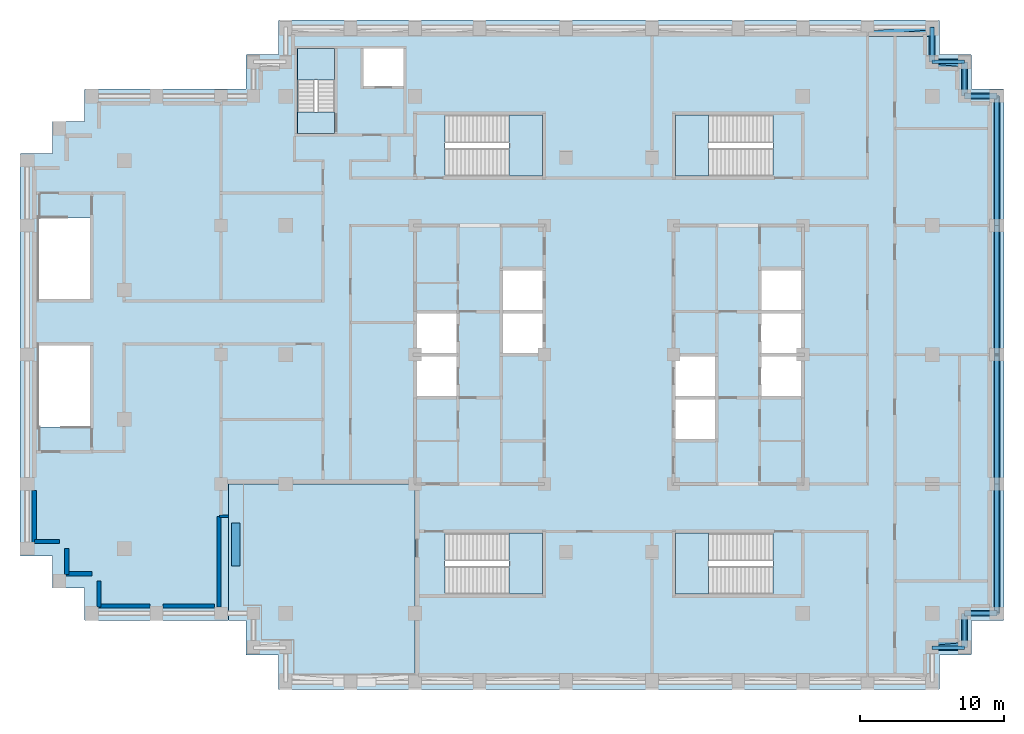
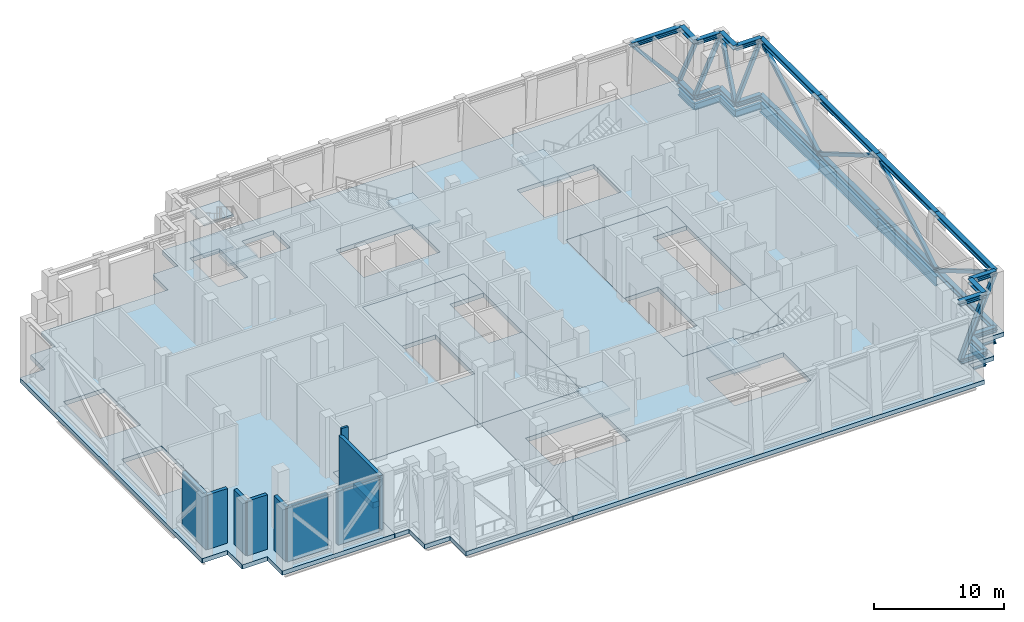
# One storey, part 3 of 10: 35 members, 11 beams, 11 slabs, 10 walls, 5 elements without a shape of their own.
"""IFC4 building model written with IfcOpenShell, lengths in metres."""

from ifc_helpers import new_model, si_unit, direction, frame, frame_2d, origin, origin_2d, place, context, subcontext, project, spatial, polyline, rectangle, hollow_rectangle, i_section, outline, extrude, material, layer, layer_set, material_profile, profile_set, type_object, element, aggregate, save


model = new_model("IFC4")

# Units and contexts
model_context = context("Model", 3, precision=1e-05, world=origin(), true_north=direction((0.0, 1.0)))
body_context = subcontext(model_context, "Body", "Model", "MODEL_VIEW")
ifc_project = project(units=[si_unit("LENGTHUNIT", "METRE"), si_unit("AREAUNIT", "SQUARE_METRE"), si_unit("VOLUMEUNIT", "CUBIC_METRE"), si_unit("PLANEANGLEUNIT", "RADIAN"), si_unit("MASSUNIT", "GRAM", prefix="KILO")], contexts=[model_context])

# Site, building, storey
site_placement = place(None, origin())
site = spatial("IfcSite", under=ifc_project, at=site_placement, CompositionType="ELEMENT")
building_placement = place(site_placement, origin())
building = spatial("IfcBuilding", under=site, at=building_placement, Name="Corbelhall Arena Tower", CompositionType="ELEMENT")
storey_placement = place(building_placement, frame((0.0, 0.0, 236.0)))
storey = spatial("IfcBuildingStorey", under=building, at=storey_placement, Name="L50", CompositionType="ELEMENT", Elevation=236.0)

# Members
ifc_material_1 = material(Name="Steel ASTM A913 Gr65", Category="steel")
ifc_material_profile_1 = material_profile(ifc_material_1, i_section(OverallWidth=0.411376953125, OverallDepth=0.434326171875, WebThickness=0.035888671875, FlangeThickness=0.057373046875, at=origin_2d()))
ifc_profile_set_1 = profile_set([ifc_material_profile_1], Name="Steel ASTM A913 Gr65")
member_type_1 = type_object("IfcMemberType", Name="ST-CHORD-W14x311", PredefinedType="CHORD", material=ifc_profile_set_1)
for number, where, z_axis, x_axis, name in (
    (1, (27.0, 0.0, 0.21728515625), (0.0, -1.0, 0.0), (1.0, 0.0, 0.0), "Truss chord BC 8"),
    (2, (27.0, 0.0, 5.5029296875), (0.0, -1.0, 0.0), (1.0, 0.0, 0.0), "Truss chord TC 8"),
    (3, (27.0, 9.0, 0.21728515625), (0.0, -1.0, 0.0), (1.0, 0.0, 0.0), "Truss chord BC 9"),
    (4, (27.0, 9.0, 5.5029296875), (0.0, -1.0, 0.0), (1.0, 0.0, 0.0), "Truss chord TC 9"),
    (5, (27.0, 18.0, 0.21728515625), (0.0, -1.0, 0.0), (1.0, 0.0, 0.0), "Truss chord BC 10"),
    (6, (27.0, 18.0, 5.5029296875), (0.0, -1.0, 0.0), (1.0, 0.0, 0.0), "Truss chord TC 10"),
    (7, (27.0, -9.0, 0.21728515625), (0.0, -1.0, 0.0), (1.0, 0.0, 0.0), "Truss chord BC 11"),
    (8, (27.0, -9.0, 5.5029296875), (0.0, -1.0, 0.0), (1.0, 0.0, 0.0), "Truss chord TC 11"),
):
    element("IfcMember", number, at=place(storey_placement, frame(where, z_axis=z_axis, x_axis=x_axis)), inside=storey, type_object=member_type_1, Name=name, PredefinedType="CHORD", context=body_context, shape_type="SweptSolid", body=[
        extrude(i_section(OverallWidth=0.411376953125, OverallDepth=0.434326171875, WebThickness=0.035888671875, FlangeThickness=0.057373046875, at=origin_2d()), origin(), (0.0, 0.0, 1.0), 9.0),
    ])
for number, where, z_axis, x_axis, name in (
    (9, (27.0, -18.0, 0.21728515625), (-1.0, 0.0, 0.0), (0.0, -1.0, 0.0), "Truss chord BC 12"),
    (10, (27.0, -18.0, 5.5029296875), (-1.0, 0.0, 0.0), (0.0, -1.0, 0.0), "Truss chord TC 12"),
):
    element("IfcMember", number, at=place(storey_placement, frame(where, z_axis=z_axis, x_axis=x_axis)), inside=storey, type_object=member_type_1, Name=name, PredefinedType="CHORD", context=body_context, shape_type="SweptSolid", body=[
        extrude(i_section(OverallWidth=0.411376953125, OverallDepth=0.434326171875, WebThickness=0.035888671875, FlangeThickness=0.057373046875, at=origin_2d()), origin(), (0.0, 0.0, 1.0), 2.25),
    ])
member_1_placement = place(storey_placement, frame((18.0, 22.3671875, 5.5029296875), z_axis=(1.0, 0.0, 0.0), x_axis=(0.0, 1.0, 0.0)))
element("IfcMember", 11, at=member_1_placement, inside=storey, type_object=member_type_1, Name="Truss chord TC 16", PredefinedType="CHORD", context=body_context, shape_type="SweptSolid", body=[
    extrude(i_section(OverallWidth=0.411376953125, OverallDepth=0.434326171875, WebThickness=0.035888671875, FlangeThickness=0.057373046875, at=origin_2d()), origin(), (0.0, 0.0, 1.0), 4.5),
])
member_2_placement = place(storey_placement, frame((22.5, 22.782958984375, 0.21728515625), z_axis=(0.0, -1.0, 0.0), x_axis=(1.0, 0.0, 0.0)))
element("IfcMember", 12, at=member_2_placement, inside=storey, type_object=member_type_1, Name="Truss chord BC 17", PredefinedType="CHORD", context=body_context, shape_type="SweptSolid", body=[
    extrude(i_section(OverallWidth=0.411376953125, OverallDepth=0.434326171875, WebThickness=0.035888671875, FlangeThickness=0.057373046875, at=origin_2d()), origin(), (0.0, 0.0, 1.0), 2.3916015625),
])
member_3_placement = place(storey_placement, frame((22.5, 22.3671875, 5.5029296875), z_axis=(0.0, -1.0, 0.0), x_axis=(1.0, 0.0, 0.0)))
element("IfcMember", 13, at=member_3_placement, inside=storey, type_object=member_type_1, Name="Truss chord TC 17", PredefinedType="CHORD", context=body_context, shape_type="SweptSolid", body=[
    extrude(i_section(OverallWidth=0.411376953125, OverallDepth=0.434326171875, WebThickness=0.035888671875, FlangeThickness=0.057373046875, at=origin_2d()), origin(), (0.0, 0.0, 1.0), 2.18359375),
])
for number, where, z_axis, x_axis, name in (
    (14, (22.5, 20.391357421875, 0.21728515625), (1.0, 0.0, 0.0), (0.0, 1.0, 0.0), "Truss chord BC 35"),
    (15, (22.5, 20.18359375, 5.5029296875), (1.0, 0.0, 0.0), (0.0, 1.0, 0.0), "Truss chord TC 35"),
):
    element("IfcMember", number, at=place(storey_placement, frame(where, z_axis=z_axis, x_axis=x_axis)), inside=storey, type_object=member_type_1, Name=name, PredefinedType="CHORD", context=body_context, shape_type="SweptSolid", body=[
        extrude(i_section(OverallWidth=0.411376953125, OverallDepth=0.434326171875, WebThickness=0.035888671875, FlangeThickness=0.057373046875, at=origin_2d()), origin(), (0.0, 0.0, 1.0), 2.25),
    ])
member_4_placement = place(storey_placement, frame((24.75, 20.391357421875, 0.21728515625), z_axis=(0.0, -1.0, 0.0), x_axis=(1.0, 0.0, 0.0)))
element("IfcMember", 16, at=member_4_placement, inside=storey, type_object=member_type_1, Name="Truss chord BC 36", PredefinedType="CHORD", context=body_context, shape_type="SweptSolid", body=[
    extrude(i_section(OverallWidth=0.411376953125, OverallDepth=0.434326171875, WebThickness=0.035888671875, FlangeThickness=0.057373046875, at=origin_2d()), origin(), (0.0, 0.0, 1.0), 2.391357421875),
])
member_5_placement = place(storey_placement, frame((24.75, 20.18359375, 5.5029296875), z_axis=(0.0, -1.0, 0.0), x_axis=(1.0, 0.0, 0.0)))
element("IfcMember", 17, at=member_5_placement, inside=storey, type_object=member_type_1, Name="Truss chord TC 36", PredefinedType="CHORD", context=body_context, shape_type="SweptSolid", body=[
    extrude(i_section(OverallWidth=0.411376953125, OverallDepth=0.434326171875, WebThickness=0.035888671875, FlangeThickness=0.057373046875, at=origin_2d()), origin(), (0.0, 0.0, 1.0), 2.18359375),
])
for number, where, z_axis, x_axis, name in (
    (18, (24.75, 18.0, 0.21728515625), (1.0, 0.0, 0.0), (0.0, 1.0, 0.0), "Truss chord BC 37"),
    (19, (24.75, 18.0, 5.5029296875), (1.0, 0.0, 0.0), (0.0, 1.0, 0.0), "Truss chord TC 37"),
    (20, (24.75, -20.391357421875, 0.21728515625), (-1.0, 0.0, 0.0), (0.0, -1.0, 0.0), "Truss chord BC 42"),
    (21, (24.75, -20.18359375, 5.5029296875), (-1.0, 0.0, 0.0), (0.0, -1.0, 0.0), "Truss chord TC 42"),
):
    element("IfcMember", number, at=place(storey_placement, frame(where, z_axis=z_axis, x_axis=x_axis)), inside=storey, type_object=member_type_1, Name=name, PredefinedType="CHORD", context=body_context, shape_type="SweptSolid", body=[
        extrude(i_section(OverallWidth=0.411376953125, OverallDepth=0.434326171875, WebThickness=0.035888671875, FlangeThickness=0.057373046875, at=origin_2d()), origin(), (0.0, 0.0, 1.0), 2.25),
    ])
member_6_placement = place(storey_placement, frame((24.75, -18.0, 0.21728515625), z_axis=(0.0, -1.0, 0.0), x_axis=(1.0, 0.0, 0.0)))
element("IfcMember", 22, at=member_6_placement, inside=storey, type_object=member_type_1, Name="Truss chord BC 43", PredefinedType="CHORD", context=body_context, shape_type="SweptSolid", body=[
    extrude(i_section(OverallWidth=0.411376953125, OverallDepth=0.434326171875, WebThickness=0.035888671875, FlangeThickness=0.057373046875, at=origin_2d()), origin(), (0.0, 0.0, 1.0), 2.391357421875),
])
member_7_placement = place(storey_placement, frame((24.75, -18.0, 5.5029296875), z_axis=(0.0, -1.0, 0.0), x_axis=(1.0, 0.0, 0.0)))
element("IfcMember", 23, at=member_7_placement, inside=storey, type_object=member_type_1, Name="Truss chord TC 43", PredefinedType="CHORD", context=body_context, shape_type="SweptSolid", body=[
    extrude(i_section(OverallWidth=0.411376953125, OverallDepth=0.434326171875, WebThickness=0.035888671875, FlangeThickness=0.057373046875, at=origin_2d()), origin(), (0.0, 0.0, 1.0), 2.18359375),
])

# Beams
ifc_material_2 = material(Name="Steel ASTM A992 Gr50", Category="steel")
ifc_material_profile_2 = material_profile(ifc_material_2, i_section(OverallWidth=0.228271484375, OverallDepth=0.607177734375, WebThickness=0.01123046875, FlangeThickness=0.017333984375, at=origin_2d()))
ifc_profile_set_2 = profile_set([ifc_material_profile_2], Name="Steel ASTM A992 Gr50")
beam_type_1 = type_object("IfcBeamType", Name="ST-SPANDREL-W24x76", PredefinedType="SPANDREL", material=ifc_profile_set_2)
beam_1_placement = place(storey_placement, frame((27.0, -18.0, -0.703857421875), z_axis=(-1.0, 0.0, 0.0), x_axis=(0.0, -1.0, 0.0)))
element("IfcBeam", 24, at=beam_1_placement, inside=storey, type_object=beam_type_1, Name="Beam SP 12", PredefinedType="SPANDREL", context=body_context, shape_type="SweptSolid", body=[
    extrude(i_section(OverallWidth=0.228271484375, OverallDepth=0.607177734375, WebThickness=0.01123046875, FlangeThickness=0.017333984375, at=origin_2d()), origin(), (0.0, 0.0, 1.0), 2.25),
])
beam_2_placement = place(storey_placement, frame((22.5, 22.800048828125, -0.703857421875), z_axis=(0.0, -1.0, 0.0), x_axis=(1.0, 0.0, 0.0)))
element("IfcBeam", 25, at=beam_2_placement, inside=storey, type_object=beam_type_1, Name="Beam SP 17", PredefinedType="SPANDREL", context=body_context, shape_type="SweptSolid", body=[
    extrude(i_section(OverallWidth=0.228271484375, OverallDepth=0.607177734375, WebThickness=0.01123046875, FlangeThickness=0.017333984375, at=origin_2d()), origin(), (0.0, 0.0, 1.0), 2.400146484375),
])
beam_3_placement = place(storey_placement, frame((22.5, 20.39990234375, -0.703857421875), z_axis=(1.0, 0.0, 0.0), x_axis=(0.0, 1.0, 0.0)))
element("IfcBeam", 26, at=beam_3_placement, inside=storey, type_object=beam_type_1, Name="Beam SP 35", PredefinedType="SPANDREL", context=body_context, shape_type="SweptSolid", body=[
    extrude(i_section(OverallWidth=0.228271484375, OverallDepth=0.607177734375, WebThickness=0.01123046875, FlangeThickness=0.017333984375, at=origin_2d()), origin(), (0.0, 0.0, 1.0), 2.25),
])
beam_4_placement = place(storey_placement, frame((24.75, 20.39990234375, -0.703857421875), z_axis=(0.0, -1.0, 0.0), x_axis=(1.0, 0.0, 0.0)))
element("IfcBeam", 27, at=beam_4_placement, inside=storey, type_object=beam_type_1, Name="Beam SP 36", PredefinedType="SPANDREL", context=body_context, shape_type="SweptSolid", body=[
    extrude(i_section(OverallWidth=0.228271484375, OverallDepth=0.607177734375, WebThickness=0.01123046875, FlangeThickness=0.017333984375, at=origin_2d()), origin(), (0.0, 0.0, 1.0), 2.39990234375),
])
for number, where, z_axis, x_axis, name in (
    (28, (24.75, 18.0, -0.703857421875), (1.0, 0.0, 0.0), (0.0, 1.0, 0.0), "Beam SP 37"),
    (29, (24.75, -20.39990234375, -0.703857421875), (-1.0, 0.0, 0.0), (0.0, -1.0, 0.0), "Beam SP 42"),
):
    element("IfcBeam", number, at=place(storey_placement, frame(where, z_axis=z_axis, x_axis=x_axis)), inside=storey, type_object=beam_type_1, Name=name, PredefinedType="SPANDREL", context=body_context, shape_type="SweptSolid", body=[
        extrude(i_section(OverallWidth=0.228271484375, OverallDepth=0.607177734375, WebThickness=0.01123046875, FlangeThickness=0.017333984375, at=origin_2d()), origin(), (0.0, 0.0, 1.0), 2.25),
    ])
beam_5_placement = place(storey_placement, frame((24.75, -18.0, -0.703857421875), z_axis=(0.0, -1.0, 0.0), x_axis=(1.0, 0.0, 0.0)))
element("IfcBeam", 30, at=beam_5_placement, inside=storey, type_object=beam_type_1, Name="Beam SP 43", PredefinedType="SPANDREL", context=body_context, shape_type="SweptSolid", body=[
    extrude(i_section(OverallWidth=0.228271484375, OverallDepth=0.607177734375, WebThickness=0.01123046875, FlangeThickness=0.017333984375, at=origin_2d()), origin(), (0.0, 0.0, 1.0), 2.39990234375),
])
ifc_material_profile_3 = material_profile(ifc_material_2, i_section(OverallWidth=0.2919921875, OverallDepth=0.845703125, WebThickness=0.015380859375, FlangeThickness=0.0244140625, at=origin_2d()))
ifc_profile_set_3 = profile_set([ifc_material_profile_3], Name="Steel ASTM A992 Gr50")
beam_type_2 = type_object("IfcBeamType", Name="ST-SPANDREL-W33x141", PredefinedType="SPANDREL", material=ifc_profile_set_3)
for number, where, z_axis, x_axis, name in (
    (31, (27.0, 0.0, -0.8232421875), (0.0, -1.0, 0.0), (1.0, 0.0, 0.0), "Beam SP 8"),
    (32, (27.0, 9.0, -0.8232421875), (0.0, -1.0, 0.0), (1.0, 0.0, 0.0), "Beam SP 9"),
    (33, (27.0, 18.0, -0.8232421875), (0.0, -1.0, 0.0), (1.0, 0.0, 0.0), "Beam SP 10"),
    (34, (27.0, -9.0, -0.8232421875), (0.0, -1.0, 0.0), (1.0, 0.0, 0.0), "Beam SP 11"),
):
    element("IfcBeam", number, at=place(storey_placement, frame(where, z_axis=z_axis, x_axis=x_axis)), inside=storey, type_object=beam_type_2, Name=name, PredefinedType="SPANDREL", context=body_context, shape_type="SweptSolid", body=[
        extrude(i_section(OverallWidth=0.2919921875, OverallDepth=0.845703125, WebThickness=0.015380859375, FlangeThickness=0.0244140625, at=origin_2d()), origin(), (0.0, 0.0, 1.0), 9.0),
    ])

# Members
ifc_material_3 = material(Name="Steel ASTM A500 Gr C", Category="steel")
ifc_material_profile_4 = material_profile(ifc_material_3, hollow_rectangle(XDim=0.3046875, YDim=0.3046875, WallThickness=0.0146484375, at=origin_2d()))
ifc_profile_set_4 = profile_set([ifc_material_profile_4], Name="Steel ASTM A500 Gr C")
member_type_2 = type_object("IfcMemberType", Name="ST-STRUT-HSS12x12x5/8", PredefinedType="STRUT", material=ifc_profile_set_4)
for number, where, z_axis, x_axis, name in (
    (35, (27.0, -9.0, 0.21728515625), (0.0, 0.862288778887, 0.506416885387), (-1.0, 0.0, 0.0), "Truss diagonal 8"),
    (36, (27.0, 9.0, 0.21728515625), (0.0, -0.862288778887, 0.506416885387), (1.0, 0.0, 0.0), "Truss diagonal 9"),
    (37, (27.0, 9.0, 0.21728515625), (0.0, 0.862288778887, 0.506416885387), (-1.0, 0.0, 0.0), "Truss diagonal 10"),
    (38, (27.0, -9.0, 0.21728515625), (0.0, -0.862288778887, 0.506416885387), (1.0, 0.0, 0.0), "Truss diagonal 11"),
):
    element("IfcMember", number, at=place(storey_placement, frame(where, z_axis=z_axis, x_axis=x_axis)), inside=storey, type_object=member_type_2, Name=name, PredefinedType="STRUT", context=body_context, shape_type="SweptSolid", body=[
        extrude(hollow_rectangle(XDim=0.3046875, YDim=0.3046875, WallThickness=0.0146484375, at=origin_2d()), origin(), (0.0, 0.0, 1.0), 10.437255859375),
    ])
member_8_placement = place(storey_placement, frame((24.75, -18.0, 0.21728515625), z_axis=(0.39167153254, 0.0, 0.920105108451), x_axis=(0.0, 1.0, 0.0)))
element("IfcMember", 39, at=member_8_placement, inside=storey, type_object=member_type_2, Name="Truss diagonal 12", PredefinedType="STRUT", context=body_context, shape_type="SweptSolid", body=[
    extrude(hollow_rectangle(XDim=0.3046875, YDim=0.3046875, WallThickness=0.0146484375, at=origin_2d()), origin(), (0.0, 0.0, 1.0), 5.74462890625),
])
member_9_placement = place(storey_placement, frame((22.5, 22.782958984375, 0.21728515625), z_axis=(-0.647090923806, -0.05978710087, 0.760065022809), x_axis=(0.09200180689, -0.995758840046, 0.0)))
element("IfcMember", 40, at=member_9_placement, inside=storey, type_object=member_type_2, Name="Truss diagonal 16", PredefinedType="STRUT", context=body_context, shape_type="SweptSolid", body=[
    extrude(hollow_rectangle(XDim=0.3046875, YDim=0.3046875, WallThickness=0.0146484375, at=origin_2d()), origin(), (0.0, 0.0, 1.0), 6.9541015625),
])
member_10_placement = place(storey_placement, frame((22.5, 22.782958984375, 0.21728515625), z_axis=(0.0, -0.441301599608, 0.897358845827), x_axis=(1.0, 0.0, 0.0)))
element("IfcMember", 41, at=member_10_placement, inside=storey, type_object=member_type_2, Name="Truss diagonal 17", PredefinedType="STRUT", context=body_context, shape_type="SweptSolid", body=[
    extrude(hollow_rectangle(XDim=0.3046875, YDim=0.3046875, WallThickness=0.0146484375, at=origin_2d()), origin(), (0.0, 0.0, 1.0), 5.89013671875),
])
member_11_placement = place(storey_placement, frame((22.5, 20.391357421875, 0.21728515625), z_axis=(0.391415624214, -0.036143087696, 0.91950393492), x_axis=(0.091948240388, 0.995763787798, 0.0)))
element("IfcMember", 42, at=member_11_placement, inside=storey, type_object=member_type_2, Name="Truss diagonal 35", PredefinedType="STRUT", context=body_context, shape_type="SweptSolid", body=[
    extrude(hollow_rectangle(XDim=0.3046875, YDim=0.3046875, WallThickness=0.0146484375, at=origin_2d()), origin(), (0.0, 0.0, 1.0), 5.748291015625),
])
member_12_placement = place(storey_placement, frame((24.75, 18.0, 0.21728515625), z_axis=(0.0, 0.381818820003, 0.924237192874), x_axis=(-1.0, 0.0, 0.0)))
element("IfcMember", 43, at=member_12_placement, inside=storey, type_object=member_type_2, Name="Truss diagonal 36", PredefinedType="STRUT", context=body_context, shape_type="SweptSolid", body=[
    extrude(hollow_rectangle(XDim=0.3046875, YDim=0.3046875, WallThickness=0.0146484375, at=origin_2d()), origin(), (0.0, 0.0, 1.0), 5.718994140625),
])
member_13_placement = place(storey_placement, frame((24.75, 18.0, 0.21728515625), z_axis=(0.39167153254, 0.0, 0.920105108451), x_axis=(0.0, 1.0, 0.0)))
element("IfcMember", 44, at=member_13_placement, inside=storey, type_object=member_type_2, Name="Truss diagonal 37", PredefinedType="STRUT", context=body_context, shape_type="SweptSolid", body=[
    extrude(hollow_rectangle(XDim=0.3046875, YDim=0.3046875, WallThickness=0.0146484375, at=origin_2d()), origin(), (0.0, 0.0, 1.0), 5.74462890625),
])
member_14_placement = place(storey_placement, frame((22.5, -20.391357421875, 0.21728515625), z_axis=(0.391415624214, 0.036143087696, 0.91950393492), x_axis=(-0.091948240388, 0.995763787798, 0.0)))
element("IfcMember", 45, at=member_14_placement, inside=storey, type_object=member_type_2, Name="Truss diagonal 42", PredefinedType="STRUT", context=body_context, shape_type="SweptSolid", body=[
    extrude(hollow_rectangle(XDim=0.3046875, YDim=0.3046875, WallThickness=0.0146484375, at=origin_2d()), origin(), (0.0, 0.0, 1.0), 5.748291015625),
])
member_15_placement = place(storey_placement, frame((24.75, -18.0, 0.21728515625), z_axis=(0.0, -0.381818820003, 0.924237192874), x_axis=(1.0, 0.0, 0.0)))
element("IfcMember", 46, at=member_15_placement, inside=storey, type_object=member_type_2, Name="Truss diagonal 43", PredefinedType="STRUT", context=body_context, shape_type="SweptSolid", body=[
    extrude(hollow_rectangle(XDim=0.3046875, YDim=0.3046875, WallThickness=0.0146484375, at=origin_2d()), origin(), (0.0, 0.0, 1.0), 5.718994140625),
])

# Slabs
ifc_material_4 = material(Name="Concrete C40/50", Category="concrete")
ifc_layer_1 = layer(ifc_material_4, 0.300048828125)
ifc_layer_set_1 = layer_set([ifc_layer_1], Name="IN-SL-CORE")
slab_type_1 = type_object("IfcSlabType", Name="IN-SL-CORE", PredefinedType="FLOOR", material=ifc_layer_set_1)
slab_1_placement = place(storey_placement, frame((0.0, 0.0, -0.400390625)))
element("IfcSlab", 47, at=slab_1_placement, inside=storey, type_object=slab_type_1, Name="Core floor W", PredefinedType="FLOOR", context=body_context, shape_type="SweptSolid", body=[
    extrude(outline(polyline([(-10.5, -3.0), (-13.5, -3.0), (-13.5, -9.0), (-4.5, -9.0), (-4.5, 0.0), (-7.5, 0.0), (-7.5, 3.0), (-7.5, 6.0), (-4.5, 6.0), (-4.5, 9.0), (-13.5, 9.0), (-13.5, 3.0), (-10.5, 3.0), (-10.5, 0.0), (-10.5, -3.0)])), origin(), (0.0, 0.0, 1.0), 0.400390625),
])
slab_2_placement = place(storey_placement, frame((0.0, 0.0, -0.400390625)))
element("IfcSlab", 48, at=slab_2_placement, inside=storey, type_object=slab_type_1, Name="Core floor E", PredefinedType="FLOOR", context=body_context, shape_type="SweptSolid", body=[
    extrude(outline(polyline([(13.5, -3.0), (10.5, -3.0), (10.5, 0.0), (10.5, 3.0), (10.5, 6.0), (13.5, 6.0), (13.5, 9.0), (4.5, 9.0), (4.5, 0.0), (7.5, 0.0), (7.5, -3.0), (7.5, -6.0), (4.5, -6.0), (4.5, -9.0), (13.5, -9.0), (13.5, -3.0)])), origin(), (0.0, 0.0, 1.0), 0.400390625),
])

# Stair, slab
stair_type = type_object("IfcStairType", Name="IN-ST-TOWER", PredefinedType="HALF_TURN_STAIR", material=ifc_material_4)
stair_1_placement = place(storey_placement, origin())
stair_1 = element("IfcStair", 49, at=stair_1_placement, inside=storey, type_object=stair_type, Name="L50 Exit stair ST1", PredefinedType="HALF_TURN_STAIR")
ifc_layer_2 = layer(ifc_material_4, 0.199951171875)
ifc_layer_set_2 = layer_set([ifc_layer_2], Name="IN-SL-LANDING")
slab_type_2 = type_object("IfcSlabType", Name="IN-SL-LANDING", PredefinedType="LANDING", material=ifc_layer_set_2)
slab_3_placement = place(storey_placement, frame((0.0, 0.0, 2.800048828125)))
slab_3 = element("IfcSlab", 50, at=slab_3_placement, type_object=slab_type_2, Name="ST1 landing 1", PredefinedType="LANDING", context=body_context, shape_type="SweptSolid", body=[
    extrude(outline(polyline([(-6.945068359375, 12.425048828125), (-4.625, 12.425048828125), (-4.625, 16.675048828125), (-6.945068359375, 16.675048828125), (-6.945068359375, 12.425048828125)])), origin(), (0.0, 0.0, 1.0), 0.199951171875),
])
aggregate(stair_1, [slab_3])

stair_2_placement = place(storey_placement, origin())
stair_2 = element("IfcStair", 51, at=stair_2_placement, inside=storey, type_object=stair_type, Name="L50 Exit stair ST2", PredefinedType="HALF_TURN_STAIR")
slab_4_placement = place(storey_placement, frame((0.0, 0.0, 2.800048828125)))
slab_4 = element("IfcSlab", 52, at=slab_4_placement, type_object=slab_type_2, Name="ST2 landing 1", PredefinedType="LANDING", context=body_context, shape_type="SweptSolid", body=[
    extrude(outline(polyline([(-6.945068359375, -16.675048828125), (-4.625, -16.675048828125), (-4.625, -12.425048828125), (-6.945068359375, -12.425048828125), (-6.945068359375, -16.675048828125)])), origin(), (0.0, 0.0, 1.0), 0.199951171875),
])
aggregate(stair_2, [slab_4])

stair_3_placement = place(storey_placement, origin())
stair_3 = element("IfcStair", 53, at=stair_3_placement, inside=storey, type_object=stair_type, Name="L50 Exit stair ST3", PredefinedType="HALF_TURN_STAIR")
slab_5_placement = place(storey_placement, frame((0.0, 0.0, 2.800048828125)))
slab_5 = element("IfcSlab", 54, at=slab_5_placement, type_object=slab_type_2, Name="ST3 landing 1", PredefinedType="LANDING", context=body_context, shape_type="SweptSolid", body=[
    extrude(outline(polyline([(6.945068359375, 16.675048828125), (4.625, 16.675048828125), (4.625, 12.425048828125), (6.945068359375, 12.425048828125), (6.945068359375, 16.675048828125)])), origin(), (0.0, 0.0, 1.0), 0.199951171875),
])
aggregate(stair_3, [slab_5])

stair_4_placement = place(storey_placement, origin())
stair_4 = element("IfcStair", 55, at=stair_4_placement, inside=storey, type_object=stair_type, Name="L50 Exit stair ST4", PredefinedType="HALF_TURN_STAIR")
slab_6_placement = place(storey_placement, frame((0.0, 0.0, 2.800048828125)))
slab_6 = element("IfcSlab", 56, at=slab_6_placement, type_object=slab_type_2, Name="ST4 landing 1", PredefinedType="LANDING", context=body_context, shape_type="SweptSolid", body=[
    extrude(outline(polyline([(6.945068359375, -12.425048828125), (4.625, -12.425048828125), (4.625, -16.675048828125), (6.945068359375, -16.675048828125), (6.945068359375, -12.425048828125)])), origin(), (0.0, 0.0, 1.0), 0.199951171875),
])
aggregate(stair_4, [slab_6])

# Stair, slabs
stair_5_placement = place(storey_placement, origin())
stair_5 = element("IfcStair", 57, at=stair_5_placement, inside=storey, type_object=stair_type, Name="L50 Exit stair ST5", PredefinedType="HALF_TURN_STAIR")
slab_7_placement = place(storey_placement, frame((0.0, 0.0, 1.300048828125)))
slab_7 = element("IfcSlab", 58, at=slab_7_placement, type_object=slab_type_2, Name="ST5 landing 1", PredefinedType="LANDING", context=body_context, shape_type="SweptSolid", body=[
    extrude(outline(polyline([(-19.094970703125, 19.139892578125), (-19.094970703125, 21.300048828125), (-21.695068359375, 21.300048828125), (-21.695068359375, 19.139892578125), (-19.094970703125, 19.139892578125)])), origin(), (0.0, 0.0, 1.0), 0.199951171875),
])
slab_8_placement = place(storey_placement, frame((0.0, 0.0, 2.800048828125)))
slab_8 = element("IfcSlab", 59, at=slab_8_placement, type_object=slab_type_2, Name="ST5 landing 2", PredefinedType="LANDING", context=body_context, shape_type="SweptSolid", body=[
    extrude(outline(polyline([(-19.094970703125, 15.39990234375), (-19.094970703125, 16.89990234375), (-21.695068359375, 16.89990234375), (-21.695068359375, 15.39990234375), (-19.094970703125, 15.39990234375)])), origin(), (0.0, 0.0, 1.0), 0.199951171875),
])
slab_9_placement = place(storey_placement, frame((0.0, 0.0, 4.300048828125)))
slab_9 = element("IfcSlab", 60, at=slab_9_placement, type_object=slab_type_2, Name="ST5 landing 3", PredefinedType="LANDING", context=body_context, shape_type="SweptSolid", body=[
    extrude(outline(polyline([(-19.094970703125, 19.139892578125), (-19.094970703125, 21.300048828125), (-21.695068359375, 21.300048828125), (-21.695068359375, 19.139892578125), (-19.094970703125, 19.139892578125)])), origin(), (0.0, 0.0, 1.0), 0.199951171875),
])
aggregate(stair_5, [slab_7, slab_8, slab_9])

# Slabs
ifc_layer_3 = layer(ifc_material_4, 0.400390625)
ifc_layer_set_3 = layer_set([ifc_layer_3], Name="ST-SLAB-FLOOR-400")
slab_type_3 = type_object("IfcSlabType", Name="ST-SLAB-FLOOR-400", PredefinedType="FLOOR", material=ifc_layer_set_3)
slab_10_placement = place(storey_placement, frame((0.0, 0.0, -0.400390625)))
element("IfcSlab", 61, at=slab_10_placement, inside=storey, type_object=slab_type_3, Name="Floor slab L50 1", PredefinedType="FLOOR", context=body_context, shape_type="SweptSolid", body=[
    extrude(outline(polyline([(27.5, 18.449951171875), (27.449951171875, 18.5), (25.25, 18.5), (25.25, 20.85009765625), (25.199951171875, 20.89990234375), (23.0, 20.89990234375), (23.0, 23.25), (22.949951171875, 23.300048828125), (-22.949951171875, 23.300048828125), (-23.0, 23.25), (-23.0, 20.89990234375), (-25.199951171875, 20.89990234375), (-25.25, 20.85009765625), (-25.25, 18.5), (-36.449951171875, 18.5), (-36.5, 18.449951171875), (-36.5, 16.25), (-38.699951171875, 16.25), (-38.75, 16.199951171875), (-38.75, 14.0), (-40.949951171875, 14.0), (-41.0, 13.949951171875), (-41.0, -13.949951171875), (-40.949951171875, -14.0), (-38.75, -14.0), (-38.75, -16.199951171875), (-38.699951171875, -16.25), (-36.5, -16.25), (-36.5, -18.449951171875), (-36.449951171875, -18.5), (-26.550048828125, -18.5), (-26.5, -18.449951171875), (-26.5, -9.0), (-13.5, -9.0), (-13.5, -23.300048828125), (22.949951171875, -23.300048828125), (23.0, -23.25), (23.0, -20.89990234375), (25.199951171875, -20.89990234375), (25.25, -20.85009765625), (25.25, -18.5), (27.449951171875, -18.5), (27.5, -18.449951171875), (27.5, 18.449951171875)]), holes=[polyline([(-4.501220703125, -8.997314453125), (-4.501220703125, 8.997314453125), (-13.498779296875, 8.997314453125), (-13.498779296875, -8.997314453125), (-4.501220703125, -8.997314453125)]), polyline([(13.5, -9.0), (13.5, 9.0), (4.5, 9.0), (4.5, -9.0), (13.5, -9.0)]), polyline([(-11.422119140625, 12.425048828125), (-4.625, 12.425048828125), (-4.625, 16.675048828125), (-11.422119140625, 16.675048828125), (-11.422119140625, 12.425048828125)]), polyline([(-11.422119140625, -12.425048828125), (-11.422119140625, -16.675048828125), (-4.625, -16.675048828125), (-4.625, -12.425048828125), (-11.422119140625, -12.425048828125)]), polyline([(4.625, 12.425048828125), (11.422119140625, 12.425048828125), (11.422119140625, 16.675048828125), (4.625, 16.675048828125), (4.625, 12.425048828125)]), polyline([(4.625, -12.425048828125), (4.625, -16.675048828125), (11.422119140625, -16.675048828125), (11.422119140625, -12.425048828125), (4.625, -12.425048828125)]), polyline([(-39.699951171875, 9.52197265625), (-39.699951171875, 3.875), (-36.125, 3.875), (-36.125, 9.52197265625), (-39.699951171875, 9.52197265625)]), polyline([(-39.699951171875, -5.02197265625), (-36.125, -5.02197265625), (-36.125, 0.625), (-39.699951171875, 0.625), (-39.699951171875, -5.02197265625)]), polyline([(-21.695068359375, 21.300048828125), (-21.695068359375, 16.903076171875), (-19.094970703125, 16.903076171875), (-19.094970703125, 21.300048828125), (-21.695068359375, 21.300048828125)]), polyline([(-14.300048828125, 21.300048828125), (-17.10009765625, 21.300048828125), (-17.10009765625, 18.699951171875), (-14.300048828125, 18.699951171875), (-14.300048828125, 21.300048828125)])]), origin(), (0.0, 0.0, 1.0), 0.400390625),
])
slab_11_placement = place(storey_placement, frame((0.0, 0.0, -0.400390625)))
element("IfcSlab", 62, at=slab_11_placement, inside=storey, type_object=slab_type_3, Name="Terrace slab T-L50-SW", PredefinedType="FLOOR", context=body_context, shape_type="SweptSolid", body=[
    extrude(outline(polyline([(-13.5, -23.300048828125), (-13.5, -9.0), (-26.5, -9.0), (-26.5, -18.5), (-25.25, -18.5), (-25.25, -20.89990234375), (-23.0, -20.89990234375), (-23.0, -23.300048828125), (-13.5, -23.300048828125)])), origin(), (0.0, 0.0, 1.0), 0.400390625),
])

# Walls
ifc_material_5 = material(Name="Precast concrete C40/50 with granite facing", Category="masonry")
ifc_layer_4 = layer(ifc_material_5, 0.300048828125)
ifc_layer_set_4 = layer_set([ifc_layer_4], Name="EV-IW1 Infill panel 300")
wall_type_1 = type_object("IfcWallType", Name="EV-IW1 Infill panel 300", PredefinedType="SOLIDWALL", material=ifc_layer_set_4)
wall_1_placement = place(storey_placement, frame((-40.0, -13.0, 0.0), z_axis=(0.0, 0.0, 1.0), x_axis=(1.0, 0.0, 0.0)))
element("IfcWall", 63, at=wall_1_placement, inside=storey, type_object=wall_type_1, Name="Infill panel IW1", PredefinedType="SOLIDWALL", context=body_context, shape_type="SweptSolid", body=[
    extrude(rectangle(XDim=1.75, YDim=0.300048828125, at=frame_2d((0.875, 0.0))), origin(), (0.0, 0.0, 1.0), 5.1201171875),
])
for number, where, z_axis, x_axis, name in (
    (64, (-37.75, -15.300048828125, 0.0), (0.0, 0.0, 1.0), (0.0, 1.0, 0.0), "Infill panel IW1"),
    (65, (-37.800048828125, -15.25, 0.0), (0.0, 0.0, 1.0), (1.0, 0.0, 0.0), "Infill panel IW1"),
    (66, (-35.5, -17.550048828125, 0.0), (0.0, 0.0, 1.0), (0.0, 1.0, 0.0), "Infill panel IW1"),
):
    element("IfcWall", number, at=place(storey_placement, frame(where, z_axis=z_axis, x_axis=x_axis)), inside=storey, type_object=wall_type_1, Name=name, PredefinedType="SOLIDWALL", context=body_context, shape_type="SweptSolid", body=[
        extrude(rectangle(XDim=1.800048828125, YDim=0.300048828125, at=frame_2d((0.89990234375, 0.0))), origin(), (0.0, 0.0, 1.0), 5.1201171875),
    ])
wall_2_placement = place(storey_placement, frame((-40.0, -9.449951171875, 0.0), z_axis=(0.0, 0.0, 1.0), x_axis=(0.0, -1.0, 0.0)))
element("IfcWall", 67, at=wall_2_placement, inside=storey, type_object=wall_type_1, Name="Infill panel IW1", PredefinedType="SOLIDWALL", context=body_context, shape_type="SweptSolid", body=[
    extrude(rectangle(XDim=3.66015625, YDim=0.300048828125, at=frame_2d((1.830078125, 0.0))), origin(), (0.0, 0.0, 1.0), 5.1201171875),
])
for number, where, z_axis, x_axis, name in (
    (68, (-35.550048828125, -17.5, 0.0), (0.0, 0.0, 1.0), (1.0, 0.0, 0.0), "Infill panel IW1"),
    (69, (-31.050048828125, -17.5, 0.0), (0.0, 0.0, 1.0), (1.0, 0.0, 0.0), "Infill panel IW1"),
):
    element("IfcWall", number, at=place(storey_placement, frame(where, z_axis=z_axis, x_axis=x_axis)), inside=storey, type_object=wall_type_1, Name=name, PredefinedType="SOLIDWALL", context=body_context, shape_type="SweptSolid", body=[
        extrude(rectangle(XDim=3.60009765625, YDim=0.300048828125, at=frame_2d((1.800048828125, 0.0))), origin(), (0.0, 0.0, 1.0), 5.1201171875),
    ])
wall_3_placement = place(storey_placement, frame((-27.14990234375, -17.550048828125, 0.0), z_axis=(0.0, 0.0, 1.0), x_axis=(0.0, 1.0, 0.0)))
element("IfcWall", 70, at=wall_3_placement, inside=storey, type_object=wall_type_1, Name="Infill panel IW1", PredefinedType="SOLIDWALL", context=body_context, shape_type="SweptSolid", body=[
    extrude(rectangle(XDim=6.300048828125, YDim=0.300048828125, at=frame_2d((3.14990234375, 0.0))), origin(), (0.0, 0.0, 1.0), 5.1201171875),
])
ifc_layer_5 = layer(ifc_material_5, 0.60009765625)
ifc_layer_set_5 = layer_set([ifc_layer_5], Name="EV-PL1 Planter box")
wall_type_2 = type_object("IfcWallType", Name="EV-PL1 Planter box", PredefinedType="SOLIDWALL", material=ifc_layer_set_5)
wall_4_placement = place(storey_placement, frame((-25.989990234375, -14.719970703125, 0.0), z_axis=(0.0, 0.0, 1.0), x_axis=(0.0, 1.0, 0.0)))
element("IfcWall", 71, at=wall_4_placement, inside=storey, type_object=wall_type_2, Name="PLANTER", PredefinedType="SOLIDWALL", context=body_context, shape_type="SweptSolid", body=[
    extrude(rectangle(XDim=3.0, YDim=0.60009765625, at=frame_2d((1.5, 0.0))), origin(), (0.0, 0.0, 1.0), 0.5400390625),
])
ifc_material_6 = material(Name="Gypsum board on steel stud, acoustic", Category="steel")
ifc_layer_6 = layer(ifc_material_6, 0.199951171875)
ifc_layer_set_6 = layer_set([ifc_layer_6], Name="IN-W-DM200")
wall_type_3 = type_object("IfcWallType", Name="IN-W-DM200", PredefinedType="PARTITIONING", material=ifc_layer_set_6)
wall_5_placement = place(storey_placement, frame((-26.5, -11.25, 0.0), z_axis=(0.0, 0.0, 1.0), x_axis=(-1.0, 0.0, 0.0)))
element("IfcWall", 72, at=wall_5_placement, inside=storey, type_object=wall_type_3, Name="Partition 011", PredefinedType="PARTITIONING", context=body_context, shape_type="SweptSolid", body=[
    extrude(rectangle(XDim=0.60009765625, YDim=0.199951171875, at=frame_2d((0.300048828125, 0.0))), origin(), (0.0, 0.0, 1.0), 5.719970703125),
])

save(model, "model.ifc")
